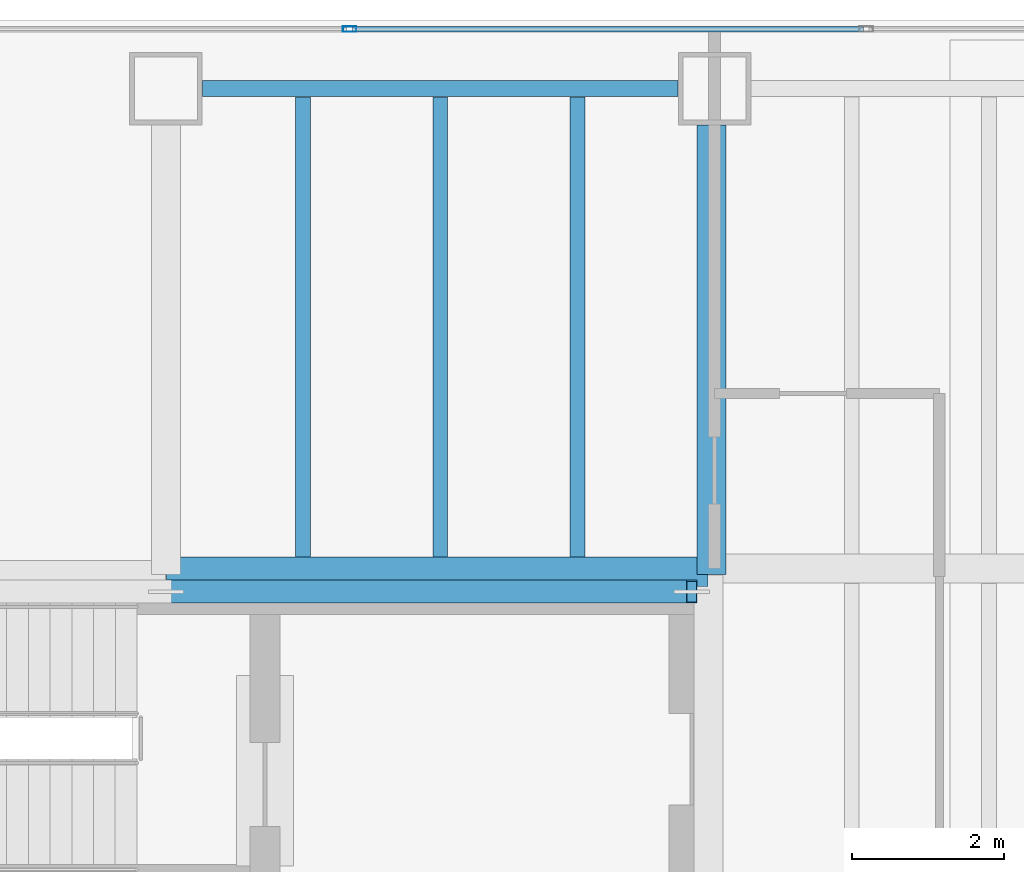
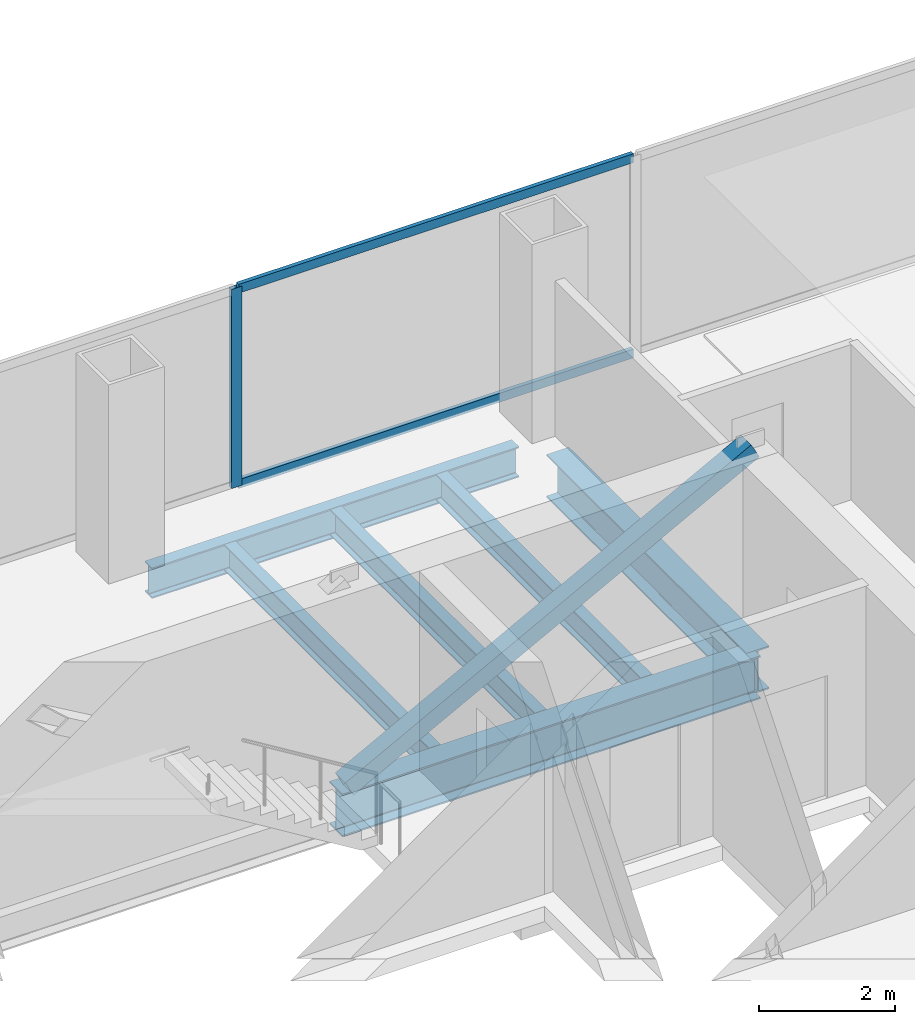
# One storey, part 17 of 24: 6 beams, 4 members, 1 element without a shape of its own.
"""IFC4 building model written with IfcOpenShell, lengths in metres."""

from ifc_helpers import new_model, si_unit, direction, frame, origin, origin_2d, place, context, subcontext, project, spatial, hollow_rectangle, i_section, extrude, material, material_profile, profile_set, type_object, element, aggregate, save


model = new_model("IFC4")

# Units and contexts
model_context = context("Model", 3, precision=1e-05, world=origin(), true_north=direction((0.0, 1.0)))
body_context = subcontext(model_context, "Body", "Model", "MODEL_VIEW")
ifc_project = project(units=[si_unit("LENGTHUNIT", "METRE"), si_unit("AREAUNIT", "SQUARE_METRE"), si_unit("VOLUMEUNIT", "CUBIC_METRE"), si_unit("PLANEANGLEUNIT", "RADIAN"), si_unit("MASSUNIT", "GRAM", prefix="KILO")], contexts=[model_context])

# Site, building, storey
site_placement = place(None, origin())
site = spatial("IfcSite", under=ifc_project, at=site_placement, CompositionType="ELEMENT")
building_placement = place(site_placement, origin())
building = spatial("IfcBuilding", under=site, at=building_placement, Name="Cobrela Telecom Tower", CompositionType="ELEMENT")
storey_placement = place(building_placement, frame((0.0, 0.0, 106.050048828125)))
storey = spatial("IfcBuildingStorey", under=building, at=storey_placement, Name="L26", CompositionType="ELEMENT", Elevation=106.050048828125)

# Beams
ifc_material_1 = material(Name="Steel ASTM A992 Grade 50", Category="steel")
ifc_material_profile_1 = material_profile(ifc_material_1, i_section(OverallWidth=0.381103515625, OverallDepth=0.77197265625, WebThickness=0.0166015625, FlangeThickness=0.027099609375, FilletRadius=0.01904296875, at=origin_2d()), Name="W30X173")
ifc_profile_set_1 = profile_set([ifc_material_profile_1], Name="Steel ASTM A992 Grade 50")
beam_type_1 = type_object("IfcBeamType", Name="BM-GIRD-04", PredefinedType="USERDEFINED", material=ifc_profile_set_1)
beam_1_placement = place(storey_placement, frame((7.205078125, 35.9599609375, -0.656005859375), z_axis=(1.0, 0.0, 0.0), x_axis=(0.0, 1.0, 0.0)))
element("IfcBeam", 1, at=beam_1_placement, inside=storey, type_object=beam_type_1, Name="L26 Primary Girder X26", ObjectType="GIRDER", PredefinedType="USERDEFINED", context=body_context, shape_type="SweptSolid", body=[
    extrude(i_section(OverallWidth=0.381103515625, OverallDepth=0.77197265625, WebThickness=0.0166015625, FlangeThickness=0.027099609375, FilletRadius=0.01904296875, at=origin_2d()), origin(), (0.0, 0.0, 1.0), 7.10986328125),
])
beam_2_placement = place(storey_placement, frame((14.360107421875, 35.925048828125, -0.656005859375), z_axis=(0.0, 1.0, 0.0), x_axis=(-1.0, 0.0, 0.0)))
element("IfcBeam", 2, at=beam_2_placement, inside=storey, type_object=beam_type_1, Name="L26 Primary Girder Y38", ObjectType="GIRDER", PredefinedType="USERDEFINED", context=body_context, shape_type="SweptSolid", body=[
    extrude(i_section(OverallWidth=0.381103515625, OverallDepth=0.77197265625, WebThickness=0.0166015625, FlangeThickness=0.027099609375, FilletRadius=0.01904296875, at=origin_2d()), origin(), (0.0, 0.0, 1.0), 5.89501953125),
])
ifc_material_profile_2 = material_profile(ifc_material_1, i_section(OverallWidth=0.193115234375, OverallDepth=0.467041015625, WebThickness=0.011474609375, FlangeThickness=0.01904296875, FilletRadius=0.012939453125, at=origin_2d()), Name="W18X65")
ifc_profile_set_2 = profile_set([ifc_material_profile_2], Name="Steel ASTM A992 Grade 50")
beam_type_2 = type_object("IfcBeamType", Name="BM-JOIST-03", PredefinedType="JOIST", material=ifc_profile_set_2)
for number, where, z_axis, x_axis, name in (
    (3, (9.0, 36.155517578125, -0.503662109375), (0.0, 1.0, 0.0), (-1.0, 0.0, 0.0), "L26 Secondary Composite Floor Beam J01"),
    (4, (10.800048828125, 36.155517578125, -0.503662109375), (0.0, 1.0, 0.0), (-1.0, 0.0, 0.0), "L26 Secondary Composite Floor Beam J02"),
    (5, (12.60009765625, 36.155517578125, -0.503662109375), (0.0, 1.0, 0.0), (-1.0, 0.0, 0.0), "L26 Secondary Composite Floor Beam J03"),
):
    element("IfcBeam", number, at=place(storey_placement, frame(where, z_axis=z_axis, x_axis=x_axis)), inside=storey, type_object=beam_type_2, Name=name, PredefinedType="JOIST", context=body_context, shape_type="SweptSolid", body=[
        extrude(i_section(OverallWidth=0.193115234375, OverallDepth=0.467041015625, WebThickness=0.011474609375, FlangeThickness=0.01904296875, FilletRadius=0.012939453125, at=origin_2d()), origin(), (0.0, 0.0, 1.0), 6.032958984375),
    ])
ifc_material_profile_3 = material_profile(ifc_material_1, i_section(OverallWidth=0.212890625, OverallDepth=0.549072265625, WebThickness=0.0146484375, FlangeThickness=0.023681640625, FilletRadius=0.013916015625, at=origin_2d()), Name="W21X93")
ifc_profile_set_3 = profile_set([ifc_material_profile_3], Name="Steel ASTM A992 Grade 50")
beam_type_3 = type_object("IfcBeamType", Name="BM-SPAND-03", PredefinedType="SPANDREL", material=ifc_profile_set_3)
beam_3_placement = place(storey_placement, frame((7.679931640625, 42.300048828125, -0.54443359375), z_axis=(1.0, 0.0, 0.0), x_axis=(0.0, 1.0, 0.0)))
element("IfcBeam", 6, at=beam_3_placement, inside=storey, type_object=beam_type_3, Name="L26 Perimeter Spandrel X29", PredefinedType="SPANDREL", context=body_context, shape_type="SweptSolid", body=[
    extrude(i_section(OverallWidth=0.212890625, OverallDepth=0.549072265625, WebThickness=0.0146484375, FlangeThickness=0.023681640625, FilletRadius=0.013916015625, at=origin_2d()), origin(), (0.0, 0.0, 1.0), 6.239990234375),
])

# Curtain wall, members
ifc_material_2 = material(Name="Anodized Bronze Aluminium 6063-T6", Category="aluminium")
curtain_wall_type = type_object("IfcCurtainWallType", Name="CW-SYS-TEL", PredefinedType="USERDEFINED", material=ifc_material_2)
curtain_wall_placement = place(storey_placement, origin())
curtain_wall = element("IfcCurtainWall", 7, at=curtain_wall_placement, inside=storey, type_object=curtain_wall_type, Name="L26 Unitised Bronze Curtain Wall 07", ObjectType="UNITISED CURTAIN WALL", PredefinedType="USERDEFINED")
ifc_material_profile_4 = material_profile(ifc_material_2, hollow_rectangle(XDim=0.074951171875, YDim=0.179931640625, WallThickness=0.00390625, at=origin_2d()), Name="ALU 75x180x4")
ifc_profile_set_4 = profile_set([ifc_material_profile_4], Name="Anodized Bronze Aluminium 6063-T6")
member_type_1 = type_object("IfcMemberType", Name="CW-SYS-TEL-MUL", PredefinedType="MULLION", material=ifc_profile_set_4)
member_1_placement = place(storey_placement, frame((9.610107421875, 43.080078125, 0.0), z_axis=(0.0, 0.0, 1.0), x_axis=(0.0, 1.0, 0.0)))
member_1 = element("IfcMember", 8, at=member_1_placement, type_object=member_type_1, Name="CW-TEL mullion 2", PredefinedType="MULLION", context=body_context, shape_type="SweptSolid", body=[
    extrude(hollow_rectangle(XDim=0.074951171875, YDim=0.179931640625, WallThickness=0.00390625, at=origin_2d()), origin(), (0.0, 0.0, 1.0), 3.579833984375),
])
ifc_material_profile_5 = material_profile(ifc_material_2, hollow_rectangle(XDim=0.070068359375, YDim=0.159912109375, WallThickness=0.00390625, at=origin_2d()), Name="ALU 70x160x4")
ifc_profile_set_5 = profile_set([ifc_material_profile_5], Name="Anodized Bronze Aluminium 6063-T6")
member_type_2 = type_object("IfcMemberType", Name="CW-SYS-TEL-TRN", PredefinedType="USERDEFINED", material=ifc_profile_set_5)
member_2_placement = place(storey_placement, frame((9.6474609375, 43.080078125, 0.034912109375), z_axis=(1.0, 0.0, 0.0), x_axis=(0.0, 1.0, 0.0)))
member_2 = element("IfcMember", 9, at=member_2_placement, type_object=member_type_2, Name="CW-TEL transom 2.1", ObjectType="TRANSOM", PredefinedType="USERDEFINED", context=body_context, shape_type="SweptSolid", body=[
    extrude(hollow_rectangle(XDim=0.070068359375, YDim=0.159912109375, WallThickness=0.00390625, at=origin_2d()), origin(), (0.0, 0.0, 1.0), 6.705078125),
])
member_3_placement = place(storey_placement, frame((9.6474609375, 43.080078125, 3.544921875), z_axis=(1.0, 0.0, 0.0), x_axis=(0.0, 1.0, 0.0)))
member_3 = element("IfcMember", 10, at=member_3_placement, type_object=member_type_2, Name="CW-TEL transom 2.2", ObjectType="TRANSOM", PredefinedType="USERDEFINED", context=body_context, shape_type="SweptSolid", body=[
    extrude(hollow_rectangle(XDim=0.070068359375, YDim=0.159912109375, WallThickness=0.00390625, at=origin_2d()), origin(), (0.0, 0.0, 1.0), 6.705078125),
])
aggregate(curtain_wall, [member_1, member_2, member_3])

# Member
ifc_material_3 = material(Name="Steel ASTM A572 Grade 50", Category="steel")
ifc_material_profile_6 = material_profile(ifc_material_3, hollow_rectangle(XDim=0.300048828125, YDim=0.300048828125, WallThickness=0.01611328125, at=origin_2d()), Name="HSS 300x300x16")
ifc_profile_set_6 = profile_set([ifc_material_profile_6], Name="Steel ASTM A572 Grade 50")
member_type_3 = type_object("IfcMemberType", Name="MBR-EXO-03", PredefinedType="BRACE", material=ifc_profile_set_6)
member_4_placement = place(storey_placement, frame((7.199951171875, 35.699951171875, -0.0400390625), z_axis=(0.883422698386, 0.0, 0.468576926423), x_axis=(0.0, 1.0, 0.0)))
element("IfcMember", 11, at=member_4_placement, inside=storey, type_object=member_type_3, Name="L26 Core Flange Steel Brace N2", PredefinedType="BRACE", context=body_context, shape_type="SweptSolid", body=[
    extrude(hollow_rectangle(XDim=0.300048828125, YDim=0.300048828125, WallThickness=0.01611328125, at=origin_2d()), origin(), (0.0, 0.0, 1.0), 7.810791015625),
])

save(model, "model.ifc")
